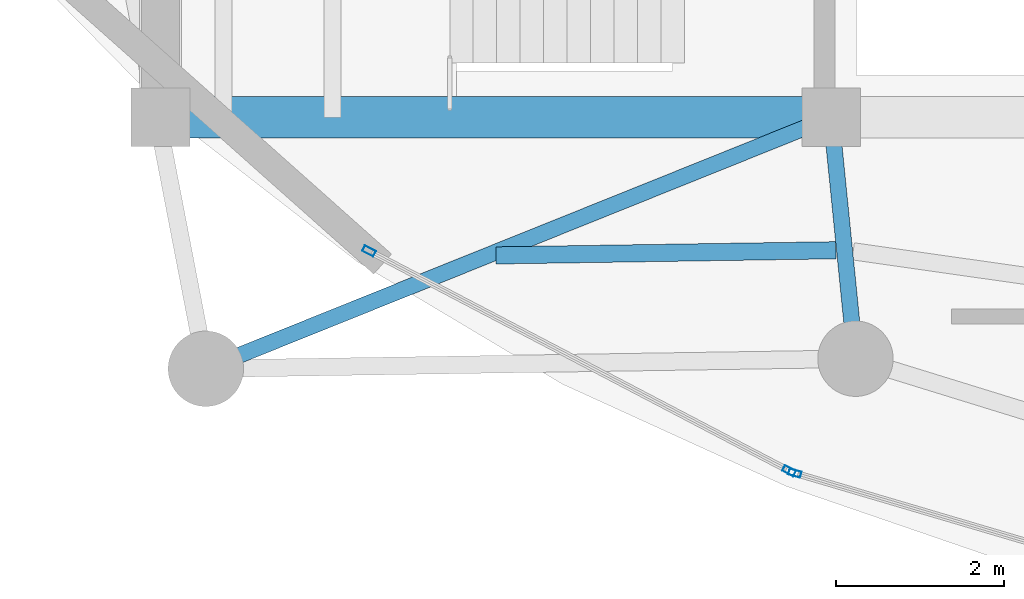
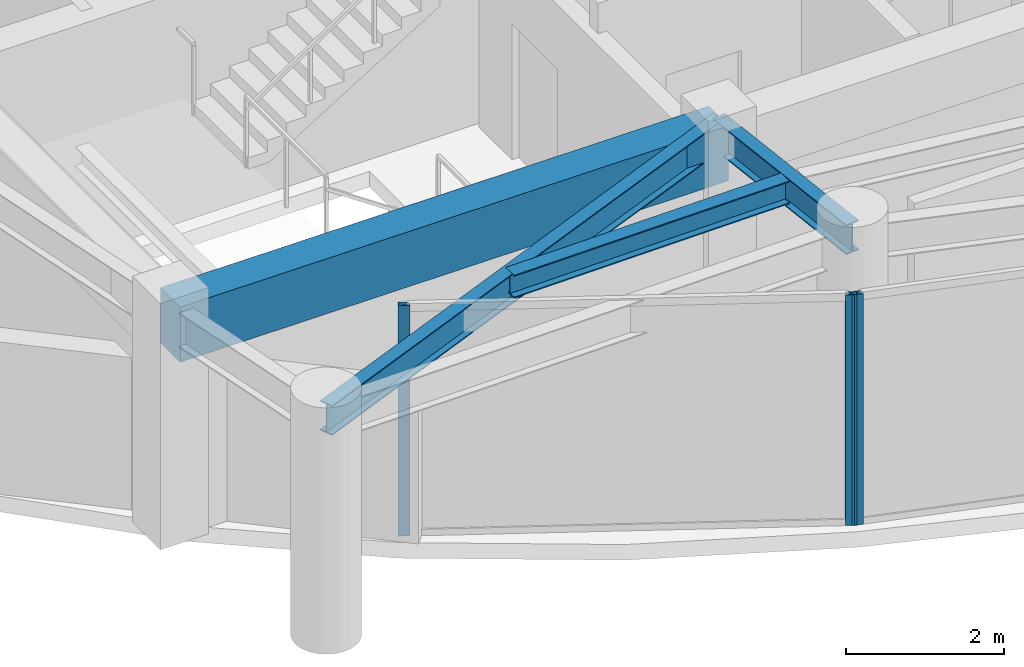
# One storey, part 2 of 29: 4 beams, 3 members, 2 elements without a shape of their own.
"""IFC4 building model written with IfcOpenShell, lengths in metres."""

import ifcopenshell
import ifcopenshell.guid

model = None  # the IFC model being written
_history = None  # IfcOwnerHistory: only IFC2X3 demands one
_inside = {}  # id of a spatial element -> (the spatial element, [elements in it])
_under = {}  # id of a project, library or spatial element -> (it, [spatial elements below it])
_declared = {}  # id of a project -> (the project, [libraries it declares])
_typed = {}  # id of a type object -> (the type object, [elements of that type])
_made_of = {}  # id of a material, layer set ... -> (it, [elements and type objects made of it])


def new_model(schema):
    """Start an empty IFC model of exactly this schema.

    Asked for "IFC4X3", IfcOpenShell would pick the latest addendum, in which some entities
    have other attributes; the version numbers below select the first issue.
    IFC2X3 requires an IfcOwnerHistory on every rooted entity: one is made here for all.
    """
    global model, _history
    if schema == "IFC4X3":
        model = ifcopenshell.file(schema_version=(4, 3, 0, 0))
    else:
        model = ifcopenshell.file(schema=schema)
    _inside.clear()
    _under.clear()
    _declared.clear()
    _typed.clear()
    _made_of.clear()
    _history = None
    if model.schema == "IFC2X3":
        org = make("IfcOrganization", Name="unknown")
        user = make(
            "IfcPersonAndOrganization",
            ThePerson=make("IfcPerson", FamilyName="unknown"),
            TheOrganization=org,
        )
        app = make(
            "IfcApplication",
            ApplicationDeveloper=org,
            Version="unknown",
            ApplicationFullName="unknown",
            ApplicationIdentifier="unknown",
        )
        _history = make(
            "IfcOwnerHistory",
            OwningUser=user,
            OwningApplication=app,
            ChangeAction="ADDED",
            CreationDate=0,
        )
    return model


def make(cls, **values):
    """One entity of the class cls with the attributes given. An attribute that is None is left unset."""
    return model.create_entity(
        cls, **{name: value for name, value in values.items() if value is not None}
    )


def rooted(cls, **values):
    """An entity with a GlobalId (a new one), such as an element, a storey or a relation."""
    return make(cls, GlobalId=ifcopenshell.guid.new(), OwnerHistory=_history, **values)


def si_unit(unit_type, name, prefix=None):
    """IfcSIUnit, for example si_unit("LENGTHUNIT", "METRE", prefix="MILLI")."""
    return make("IfcSIUnit", UnitType=unit_type, Prefix=prefix, Name=name)


def assignment(units):
    """IfcUnitAssignment: the units of a project."""
    return None if units is None else make("IfcUnitAssignment", Units=units)


def point(xyz):
    """IfcCartesianPoint."""
    return None if xyz is None else make("IfcCartesianPoint", Coordinates=xyz)


def direction(xyz):
    """IfcDirection."""
    return None if xyz is None else make("IfcDirection", DirectionRatios=xyz)


def frame(location, z_axis=None, x_axis=None):
    """IfcAxis2Placement3D, a coordinate frame: its origin and axes. An axis left out is left unset."""
    return make(
        "IfcAxis2Placement3D",
        Location=point(location),
        Axis=direction(z_axis),
        RefDirection=direction(x_axis),
    )


def frame_2d(location, x_axis=None):
    """IfcAxis2Placement2D, a coordinate frame in the plane: its origin and x axis."""
    return make(
        "IfcAxis2Placement2D", Location=point(location), RefDirection=direction(x_axis)
    )


def origin():
    """The frame at (0, 0, 0) with its axes left unset."""
    return frame((0.0, 0.0, 0.0))


def origin_2d():
    """The frame at (0, 0) in the plane with its x axis left unset."""
    return frame_2d((0.0, 0.0))


def place(relative_to, where):
    """IfcLocalPlacement: puts the frame where relative to a parent placement (None: the world)."""
    return make(
        "IfcLocalPlacement", PlacementRelTo=relative_to, RelativePlacement=where
    )


def context(
    kind, dimensions, precision=None, world=None, true_north=None, identifier=None
):
    """IfcGeometricRepresentationContext, for example the 3D "Model" context."""
    return make(
        "IfcGeometricRepresentationContext",
        ContextIdentifier=identifier,
        ContextType=kind,
        CoordinateSpaceDimension=dimensions,
        Precision=precision,
        WorldCoordinateSystem=world,
        TrueNorth=true_north,
    )


def subcontext(parent, identifier, kind, view, scale=None):
    """IfcGeometricRepresentationSubContext, for example "Body" below "Model"."""
    return make(
        "IfcGeometricRepresentationSubContext",
        ContextIdentifier=identifier,
        ContextType=kind,
        ParentContext=parent,
        TargetScale=scale,
        TargetView=view,
    )


def project(units=None, contexts=None):
    """IfcProject with its units and contexts."""
    return rooted(
        "IfcProject",
        Name="project",
        RepresentationContexts=contexts,
        UnitsInContext=assignment(units),
    )


def spatial(cls, under=None, at=None, **own):
    """A site, building, storey or space (cls), placed at a placement, below another one or the project."""
    s = rooted(cls, ObjectPlacement=at, **own)
    if under is not None:
        _under.setdefault(under.id(), (under, []))[1].append(s)
    return s


def profile(cls, at=None, kind="AREA", **sizes):
    """A parametric profile (cls). Its sizes go by their IFC names, for example OverallWidth=200.0."""
    return make(cls, ProfileType=kind, Position=at, **sizes)


def rectangle(**sizes):
    """IfcRectangleProfileDef."""
    return profile("IfcRectangleProfileDef", **sizes)


def hollow_rectangle(**sizes):
    """IfcRectangleHollowProfileDef."""
    return profile("IfcRectangleHollowProfileDef", **sizes)


def i_section(**sizes):
    """IfcIShapeProfileDef."""
    return profile("IfcIShapeProfileDef", **sizes)


def extrude(swept, where, along, depth):
    """IfcExtrudedAreaSolid: the profile swept, set in the frame where, extruded along a direction by depth."""
    return make(
        "IfcExtrudedAreaSolid",
        SweptArea=swept,
        Position=where,
        ExtrudedDirection=direction(along),
        Depth=depth,
    )


def shape(context_of_items, identifier, shape_type, items):
    """IfcShapeRepresentation: the items that make up one representation, for example the "Body"."""
    return make(
        "IfcShapeRepresentation",
        ContextOfItems=context_of_items,
        RepresentationIdentifier=identifier,
        RepresentationType=shape_type,
        Items=items,
    )


def material(Name=None, Category=None):
    """IfcMaterial."""
    return make("IfcMaterial", Name=Name, Category=Category)


def layer(
    of_material, thickness, ventilated=None, Name=None, Category=None, Priority=None
):
    """IfcMaterialLayer: one layer of a wall or slab, of a material (None: an air gap)."""
    return make(
        "IfcMaterialLayer",
        Material=of_material,
        LayerThickness=thickness,
        IsVentilated=ventilated,
        Name=Name,
        Category=Category,
        Priority=Priority,
    )


def layer_set(layers, Name=None):
    """IfcMaterialLayerSet."""
    return make("IfcMaterialLayerSet", MaterialLayers=layers, LayerSetName=Name)


def material_profile(
    of_material, cross_section, Name=None, Category=None, Priority=None
):
    """IfcMaterialProfile: a cross section and its material."""
    return make(
        "IfcMaterialProfile",
        Name=Name,
        Material=of_material,
        Profile=cross_section,
        Priority=Priority,
        Category=Category,
    )


def profile_set(profiles, Name=None, composite=None):
    """IfcMaterialProfileSet."""
    return make(
        "IfcMaterialProfileSet",
        Name=Name,
        MaterialProfiles=profiles,
        CompositeProfile=composite,
    )


def made_of(thing, what):
    """Note that an element or type object is made of a material, layer set ...; save() writes the relation."""
    if what is not None:
        _made_of.setdefault(what.id(), (what, []))[1].append(thing)
    return thing


def type_object(cls, material=None, **own):
    """A type object (cls), such as IfcWallType, which elements share."""
    return made_of(rooted(cls, **own), material)


def element(
    cls,
    number,
    at=None,
    inside=None,
    cuts=None,
    type_object=None,
    material=None,
    context=None,
    identifier="Body",
    shape_type=None,
    held_by="IfcProductDefinitionShape",
    body=None,
    shapes=None,
    **own,
):
    """One element of the class cls, such as IfcWall. Its Tag is "e" and its number.

    at: its placement. inside: the storey or other place that contains it. cuts: it is an
    opening in that element (IfcRelVoidsElement). A single representation is given by context,
    identifier, shape_type and body (its items); several are given by shapes. held_by: the class
    of the entity that holds the representations. save() writes the other relations.
    """
    e = rooted(cls, Tag="e%d" % number, ObjectPlacement=at, **own)
    if body is not None:
        shapes = [shape(context, identifier, shape_type, body)]
    if shapes is not None:
        e.Representation = make(held_by, Representations=shapes)
    if inside is not None:
        _inside.setdefault(inside.id(), (inside, []))[1].append(e)
    if cuts is not None:
        rooted(
            "IfcRelVoidsElement", RelatingBuildingElement=cuts, RelatedOpeningElement=e
        )
    if type_object is not None:
        _typed.setdefault(type_object.id(), (type_object, []))[1].append(e)
    return made_of(e, material)


def aggregate(whole, parts):
    """IfcRelAggregates: a whole, such as a stair, and the parts it consists of."""
    return rooted("IfcRelAggregates", RelatingObject=whole, RelatedObjects=parts)


def save(model, path):
    """Write the relations noted so far, then the file.

    IfcRelAggregates (storeys below a building ...), IfcRelContainedInSpatialStructure (elements
    in a storey), IfcRelDefinesByType, IfcRelAssociatesMaterial and IfcRelDeclares: one each for
    every whole, place, type object, material and project.
    """
    for whole, parts in _under.values():
        aggregate(whole, parts)
    for where, things in _inside.values():
        rooted(
            "IfcRelContainedInSpatialStructure",
            RelatedElements=things,
            RelatingStructure=where,
        )
    for kind, things in _typed.values():
        rooted("IfcRelDefinesByType", RelatedObjects=things, RelatingType=kind)
    for what, things in _made_of.values():
        rooted("IfcRelAssociatesMaterial", RelatedObjects=things, RelatingMaterial=what)
    for by, libraries in _declared.values():
        rooted("IfcRelDeclares", RelatingContext=by, RelatedDefinitions=libraries)
    model.write(path)


model = new_model("IFC4")

# Units and contexts
model_context = context("Model", 3, precision=1e-05, world=origin(), true_north=direction((0.0, 1.0)))
body_context = subcontext(model_context, "Body", "Model", "MODEL_VIEW")
ifc_project = project(units=[si_unit("LENGTHUNIT", "METRE"), si_unit("AREAUNIT", "SQUARE_METRE"), si_unit("VOLUMEUNIT", "CUBIC_METRE"), si_unit("PLANEANGLEUNIT", "RADIAN"), si_unit("MASSUNIT", "GRAM", prefix="KILO")], contexts=[model_context])

# Site, building, storey
site_placement = place(None, origin())
site = spatial("IfcSite", under=ifc_project, at=site_placement, CompositionType="ELEMENT")
building_placement = place(site_placement, origin())
building = spatial("IfcBuilding", under=site, at=building_placement, Name="Kazevale Care Tower and Concert Hall", CompositionType="ELEMENT")
storey_placement = place(building_placement, frame((0.0, 0.0, 262.39990234375)))
storey = spatial("IfcBuildingStorey", under=building, at=storey_placement, Name="L69", CompositionType="ELEMENT", Elevation=262.39990234375)

# Curtain wall, member
ifc_material_1 = material(Name="Aluminium 6063-T6 and Low-E Glass", Category="aluminium")
ifc_layer = layer(ifc_material_1, 0.179931640625)
ifc_layer_set = layer_set([ifc_layer], Name="Aluminium 6063-T6 and Low-E Glass")
curtain_wall_type = type_object("IfcCurtainWallType", Name="Sheltered Concave Balcony Curtain Wall CW-5", PredefinedType="NOTDEFINED", material=ifc_layer_set)
curtain_wall_1_placement = place(storey_placement, origin())
curtain_wall_1 = element("IfcCurtainWall", 1, at=curtain_wall_1_placement, inside=storey, type_object=curtain_wall_type, Name="cw:L69:f08", PredefinedType="NOTDEFINED")
ifc_material_2 = material(Name="Aluminium 6063-T6", Category="aluminium")
ifc_material_profile_1 = material_profile(ifc_material_2, hollow_rectangle(XDim=0.074951171875, YDim=0.14990234375, WallThickness=0.00390625, at=origin_2d()), Name="ALU75x150x4")
ifc_profile_set_1 = profile_set([ifc_material_profile_1], Name="Aluminium 6063-T6")
member_type = type_object("IfcMemberType", Name="CW-5 Mullion ALU75x150x4", PredefinedType="MULLION", material=ifc_profile_set_1)
member_1_placement = place(storey_placement, frame((29.56689453125, 19.3544921875, 0.0), z_axis=(0.0, 0.0, 1.0), x_axis=(-0.283202506274, -0.959060133902, 0.0)))
member_1 = element("IfcMember", 2, at=member_1_placement, type_object=member_type, Name="CW-5 mullion 2", PredefinedType="MULLION", context=body_context, shape_type="SweptSolid", body=[
    extrude(hollow_rectangle(XDim=0.074951171875, YDim=0.14990234375, WallThickness=0.00390625, at=origin_2d()), origin(), (0.0, 0.0, 1.0), 3.56005859375),
])
aggregate(curtain_wall_1, [member_1])

# Curtain wall, members
curtain_wall_2_placement = place(storey_placement, origin())
curtain_wall_2 = element("IfcCurtainWall", 3, at=curtain_wall_2_placement, inside=storey, type_object=curtain_wall_type, Name="cw:L69:f09", PredefinedType="NOTDEFINED")
member_2_placement = place(storey_placement, frame((29.497802734375, 19.38232421875, 0.0), z_axis=(0.0, 0.0, 1.0), x_axis=(-0.463680915912, -0.886002261972, 0.0)))
member_2 = element("IfcMember", 4, at=member_2_placement, type_object=member_type, Name="CW-5 mullion 1", PredefinedType="MULLION", context=body_context, shape_type="SweptSolid", body=[
    extrude(hollow_rectangle(XDim=0.074951171875, YDim=0.14990234375, WallThickness=0.00390625, at=origin_2d()), origin(), (0.0, 0.0, 1.0), 3.56005859375),
])
member_3_placement = place(storey_placement, frame((24.4873046875, 22.004638671875, 0.0), z_axis=(0.0, 0.0, 1.0), x_axis=(-0.463680915912, -0.886002261972, 0.0)))
member_3 = element("IfcMember", 5, at=member_3_placement, type_object=member_type, Name="CW-5 mullion 2", PredefinedType="MULLION", context=body_context, shape_type="SweptSolid", body=[
    extrude(hollow_rectangle(XDim=0.074951171875, YDim=0.14990234375, WallThickness=0.00390625, at=origin_2d()), origin(), (0.0, 0.0, 1.0), 3.56005859375),
])
aggregate(curtain_wall_2, [member_2, member_3])

# Beams
ifc_material_3 = material(Name="Concrete C60", Category="concrete")
ifc_material_profile_2 = material_profile(ifc_material_3, rectangle(XDim=0.5, YDim=0.85009765625, at=origin_2d()), Name="RC-B500x850")
ifc_profile_set_2 = profile_set([ifc_material_profile_2], Name="Concrete C60")
beam_type_1 = type_object("IfcBeamType", Name="Core Coupling Beam RC500x850", PredefinedType="LINTEL", material=ifc_profile_set_2)
beam_1_placement = place(storey_placement, frame((22.0, 23.60009765625, 3.135009765625), z_axis=(1.0, 0.0, 0.0), x_axis=(0.0, 1.0, 0.0)))
element("IfcBeam", 6, at=beam_1_placement, inside=storey, type_object=beam_type_1, Name="beam:L69:coretie:1", PredefinedType="LINTEL", context=body_context, shape_type="SweptSolid", body=[
    extrude(rectangle(XDim=0.5, YDim=0.85009765625, at=origin_2d()), origin(), (0.0, 0.0, 1.0), 8.0),
])
ifc_material_4 = material(Name="Steel ASTM A572 Gr 50", Category="steel")
ifc_material_profile_3 = material_profile(ifc_material_4, i_section(OverallWidth=0.19091796875, OverallDepth=0.4599609375, WebThickness=0.010009765625, FlangeThickness=0.01611328125, at=origin_2d()), Name="W460x82")
ifc_profile_set_3 = profile_set([ifc_material_profile_3], Name="Steel ASTM A572 Gr 50")
beam_type_2 = type_object("IfcBeamType", Name="Radial Floor Beam W460x82", PredefinedType="BEAM", material=ifc_profile_set_3)
beam_2_placement = place(storey_placement, frame((30.0, 23.60009765625, 3.330078125), z_axis=(-0.927788258921, -0.373107151644, 0.0), x_axis=(0.373107151644, -0.927788258921, 0.0)))
element("IfcBeam", 7, at=beam_2_placement, inside=storey, type_object=beam_type_2, Name="beam:L69:rad:10", PredefinedType="BEAM", context=body_context, shape_type="SweptSolid", body=[
    extrude(i_section(OverallWidth=0.19091796875, OverallDepth=0.4599609375, WebThickness=0.010009765625, FlangeThickness=0.01611328125, at=origin_2d()), origin(), (0.0, 0.0, 1.0), 8.04052734375),
])
beam_3_placement = place(storey_placement, frame((30.0, 23.60009765625, 3.330078125), z_axis=(0.100196792003, -0.994967639108, 0.0), x_axis=(0.994967639108, 0.100196792003, 0.0)))
element("IfcBeam", 8, at=beam_3_placement, inside=storey, type_object=beam_type_2, Name="beam:L69:rad:11", PredefinedType="BEAM", context=body_context, shape_type="SweptSolid", body=[
    extrude(i_section(OverallWidth=0.19091796875, OverallDepth=0.4599609375, WebThickness=0.010009765625, FlangeThickness=0.01611328125, at=origin_2d()), origin(), (0.0, 0.0, 1.0), 2.894775390625),
])
ifc_material_profile_4 = material_profile(ifc_material_4, i_section(OverallWidth=0.205078125, OverallDepth=0.35400390625, WebThickness=0.009521484375, FlangeThickness=0.016845703125, at=origin_2d()), Name="W360x79")
ifc_profile_set_4 = profile_set([ifc_material_profile_4], Name="Steel ASTM A572 Gr 50")
beam_type_3 = type_object("IfcBeamType", Name="Secondary Floor Joist W360x79", PredefinedType="JOIST", material=ifc_profile_set_4)
beam_4_placement = place(storey_placement, frame((26.001953125, 21.951904296875, 3.383056640625), z_axis=(0.999882971215, 0.015298492542, 0.0), x_axis=(-0.015298492542, 0.999882971215, 0.0)))
element("IfcBeam", 9, at=beam_4_placement, inside=storey, type_object=beam_type_3, Name="beam:L69:joist:10", PredefinedType="JOIST", context=body_context, shape_type="SweptSolid", body=[
    extrude(i_section(OverallWidth=0.205078125, OverallDepth=0.35400390625, WebThickness=0.009521484375, FlangeThickness=0.016845703125, at=origin_2d()), origin(), (0.0, 0.0, 1.0), 4.053466796875),
])

save(model, "model.ifc")
